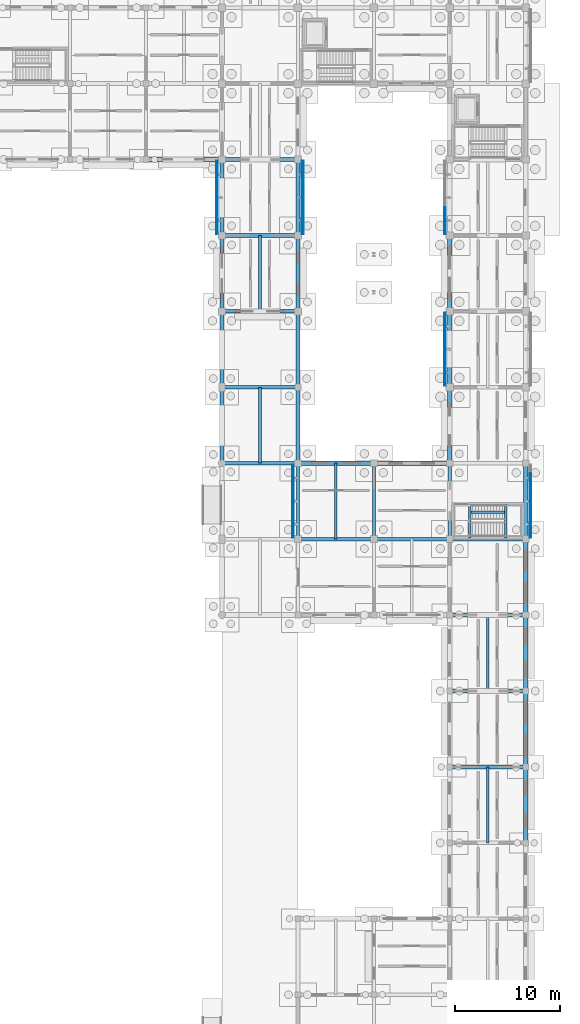
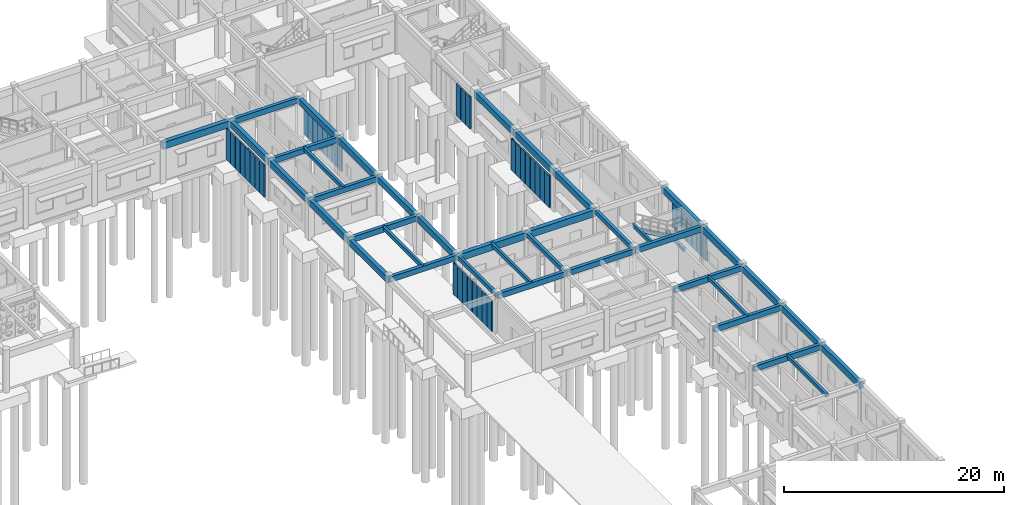
# One storey, part 37 of 111: 42 members, 41 beams, 6 elements without a shape of their own.
"""IFC4 building model written with IfcOpenShell, lengths in metres."""

from ifc_helpers import new_model, si_unit, direction, frame, origin, origin_2d, place, context, subcontext, project, spatial, rectangle, hollow_rectangle, extrude, material, material_profile, profile_set, type_object, element, aggregate, save


model = new_model("IFC4")

# Units and contexts
model_context = context("Model", 3, precision=1e-05, world=origin(), true_north=direction((0.0, 1.0)))
body_context = subcontext(model_context, "Body", "Model", "MODEL_VIEW")
ifc_project = project(units=[si_unit("LENGTHUNIT", "METRE"), si_unit("AREAUNIT", "SQUARE_METRE"), si_unit("VOLUMEUNIT", "CUBIC_METRE"), si_unit("PLANEANGLEUNIT", "RADIAN"), si_unit("MASSUNIT", "GRAM", prefix="KILO")], contexts=[model_context])

# Site, building, storey
site_placement = place(None, origin())
site = spatial("IfcSite", under=ifc_project, at=site_placement, CompositionType="ELEMENT")
building_placement = place(site_placement, origin())
building = spatial("IfcBuilding", under=site, at=building_placement, Name="Aldebral Square Health Centre", CompositionType="ELEMENT")
storey_placement = place(building_placement, origin())
storey = spatial("IfcBuildingStorey", under=building, at=storey_placement, Name="L00", CompositionType="ELEMENT", Elevation=0.0)

# Beams
ifc_material_1 = material(Name="Concrete C40/50", Category="concrete")
ifc_material_profile_1 = material_profile(ifc_material_1, rectangle(XDim=0.35009765625, YDim=0.60009765625, at=origin_2d()), Name="RC 350x600")
ifc_profile_set_1 = profile_set([ifc_material_profile_1], Name="Concrete C40/50")
beam_type_1 = type_object("IfcBeamType", Name="BM-B2", PredefinedType="BEAM", material=ifc_profile_set_1)
for number, where, z_axis, x_axis, name in (
    (1, (136.800048828125, 64.800048828125, 3.919921875), (1.0, 0.0, 0.0), (0.0, 1.0, 0.0), "L00 X-beam 20-21/G10"),
    (2, (136.800048828125, 72.0, 3.919921875), (1.0, 0.0, 0.0), (0.0, 1.0, 0.0), "L00 X-beam 20-21/G11"),
    (3, (136.800048828125, 79.199951171875, 3.919921875), (1.0, 0.0, 0.0), (0.0, 1.0, 0.0), "L00 X-beam 20-21/G12"),
    (4, (136.800048828125, 86.39990234375, 3.919921875), (1.0, 0.0, 0.0), (0.0, 1.0, 0.0), "L00 X-beam 20-21/G13"),
    (5, (136.800048828125, 93.60009765625, 3.919921875), (1.0, 0.0, 0.0), (0.0, 1.0, 0.0), "L00 X-beam 20-21/G14"),
    (6, (144.0, 57.60009765625, 3.919921875), (1.0, 0.0, 0.0), (0.0, 1.0, 0.0), "L00 X-beam 21-22/G9"),
    (7, (151.199951171875, 57.60009765625, 3.919921875), (1.0, 0.0, 0.0), (0.0, 1.0, 0.0), "L00 X-beam 22-23/G9"),
):
    element("IfcBeam", number, at=place(storey_placement, frame(where, z_axis=z_axis, x_axis=x_axis)), inside=storey, type_object=beam_type_1, Name=name, PredefinedType="BEAM", context=body_context, shape_type="SweptSolid", body=[
        extrude(rectangle(XDim=0.35009765625, YDim=0.60009765625, at=origin_2d()), origin(), (0.0, 0.0, 1.0), 7.199951171875),
    ])
for number, where, z_axis, x_axis, name in (
    (8, (158.39990234375, 36.0, 3.919921875), (1.0, 0.0, 0.0), (0.0, 1.0, 0.0), "L00 X-beam 23-24/G6"),
    (9, (158.39990234375, 43.199951171875, 3.919921875), (1.0, 0.0, 0.0), (0.0, 1.0, 0.0), "L00 X-beam 23-24/G7"),
    (10, (158.39990234375, 50.39990234375, 3.919921875), (1.0, 0.0, 0.0), (0.0, 1.0, 0.0), "L00 X-beam 23-24/G8"),
    (11, (158.39990234375, 57.60009765625, 3.919921875), (1.0, 0.0, 0.0), (0.0, 1.0, 0.0), "L00 X-beam 23-24/G9"),
):
    element("IfcBeam", number, at=place(storey_placement, frame(where, z_axis=z_axis, x_axis=x_axis)), inside=storey, type_object=beam_type_1, Name=name, PredefinedType="BEAM", context=body_context, shape_type="SweptSolid", body=[
        extrude(rectangle(XDim=0.35009765625, YDim=0.60009765625, at=origin_2d()), origin(), (0.0, 0.0, 1.0), 7.2001953125),
    ])
ifc_material_profile_2 = material_profile(ifc_material_1, rectangle(XDim=0.300048828125, YDim=0.449951171875, at=origin_2d()), Name="RC 300x450")
ifc_profile_set_2 = profile_set([ifc_material_profile_2], Name="Concrete C40/50")
beam_type_2 = type_object("IfcBeamType", Name="BM-B5", PredefinedType="BEAM", material=ifc_profile_set_2)
for number, where, z_axis, x_axis, name in (
    (12, (144.0, 57.60009765625, 3.9951171875), (0.0, 1.0, 0.0), (-1.0, 0.0, 0.0), "L00 Y-beam G21/9-10"),
    (13, (151.199951171875, 57.60009765625, 3.9951171875), (0.0, 1.0, 0.0), (-1.0, 0.0, 0.0), "L00 Y-beam G22/9-10"),
    (14, (158.39990234375, 57.60009765625, 3.9951171875), (0.0, 1.0, 0.0), (-1.0, 0.0, 0.0), "L00 Y-beam G23/9-10"),
):
    element("IfcBeam", number, at=place(storey_placement, frame(where, z_axis=z_axis, x_axis=x_axis)), inside=storey, type_object=beam_type_2, Name=name, PredefinedType="BEAM", context=body_context, shape_type="SweptSolid", body=[
        extrude(rectangle(XDim=0.300048828125, YDim=0.449951171875, at=origin_2d()), origin(), (0.0, 0.0, 1.0), 7.199951171875),
    ])
ifc_material_profile_3 = material_profile(ifc_material_1, rectangle(XDim=0.25, YDim=0.39990234375, at=origin_2d()), Name="RC 250x400")
ifc_profile_set_3 = profile_set([ifc_material_profile_3], Name="Concrete C40/50")
beam_type_3 = type_object("IfcBeamType", Name="BM-B6", PredefinedType="JOIST", material=ifc_profile_set_3)
for number, where, z_axis, x_axis, name in (
    (15, (140.39990234375, 64.800048828125, 4.02001953125), (0.0, 1.0, 0.0), (-1.0, 0.0, 0.0), "L00 secondary rib 20.10"),
    (16, (140.39990234375, 79.199951171875, 4.02001953125), (0.0, 1.0, 0.0), (-1.0, 0.0, 0.0), "L00 secondary rib 20.12"),
    (17, (147.60009765625, 57.60009765625, 4.02001953125), (0.0, 1.0, 0.0), (-1.0, 0.0, 0.0), "L00 secondary rib 21.9"),
    (18, (162.0, 28.800048828125, 4.02001953125), (0.0, 1.0, 0.0), (-1.0, 0.0, 0.0), "L00 secondary rib 23.5"),
    (19, (162.0, 43.199951171875, 4.02001953125), (0.0, 1.0, 0.0), (-1.0, 0.0, 0.0), "L00 secondary rib 23.7"),
):
    element("IfcBeam", number, at=place(storey_placement, frame(where, z_axis=z_axis, x_axis=x_axis)), inside=storey, type_object=beam_type_3, Name=name, PredefinedType="JOIST", context=body_context, shape_type="SweptSolid", body=[
        extrude(rectangle(XDim=0.25, YDim=0.39990234375, at=origin_2d()), origin(), (0.0, 0.0, 1.0), 7.199951171875),
    ])
for number, where, z_axis, x_axis, name in (
    (20, (163.719970703125, 57.72998046875, 2.050048828125), (0.0, 1.0, 0.0), (-1.0, 0.0, 0.0), "L00 WS-S9 half-landing beam"),
    (21, (160.280029296875, 57.72998046875, 4.02001953125), (0.0, 1.0, 0.0), (-1.0, 0.0, 0.0), "L00 WS-S9 upper landing beam"),
):
    element("IfcBeam", number, at=place(storey_placement, frame(where, z_axis=z_axis, x_axis=x_axis)), inside=storey, type_object=beam_type_3, Name=name, PredefinedType="JOIST", context=body_context, shape_type="SweptSolid", body=[
        extrude(rectangle(XDim=0.25, YDim=0.39990234375, at=origin_2d()), origin(), (0.0, 0.0, 1.0), 3.219970703125),
    ])
beam_1_placement = place(storey_placement, frame((163.719970703125, 60.139892578125, 2.050048828125), z_axis=(-0.867776584178, 0.0, 0.496954525034), x_axis=(0.0, -1.0, 0.0)))
element("IfcBeam", 22, at=beam_1_placement, inside=storey, type_object=beam_type_3, Name="L00 WS-S9 flight stringer beam", PredefinedType="JOIST", context=body_context, shape_type="SweptSolid", body=[
    extrude(rectangle(XDim=0.25, YDim=0.39990234375, at=origin_2d()), origin(), (0.0, 0.0, 1.0), 3.964111328125),
])
ifc_material_profile_4 = material_profile(ifc_material_1, rectangle(XDim=0.449951171875, YDim=0.75, at=origin_2d()), Name="RC 450x750")
ifc_profile_set_4 = profile_set([ifc_material_profile_4], Name="Concrete C40/50")
beam_type_4 = type_object("IfcBeamType", Name="BM-G2", PredefinedType="T_BEAM", material=ifc_profile_set_4)
for number, where, z_axis, x_axis, name in (
    (23, (129.60009765625, 93.60009765625, 3.844970703125), (1.0, 0.0, 0.0), (0.0, 1.0, 0.0), "L00 X-beam 19-20/G14"),
    (24, (144.0, 64.800048828125, 3.844970703125), (1.0, 0.0, 0.0), (0.0, 1.0, 0.0), "L00 X-beam 21-22/G10"),
    (25, (151.199951171875, 64.800048828125, 3.844970703125), (1.0, 0.0, 0.0), (0.0, 1.0, 0.0), "L00 X-beam 22-23/G10"),
):
    element("IfcBeam", number, at=place(storey_placement, frame(where, z_axis=z_axis, x_axis=x_axis)), inside=storey, type_object=beam_type_4, Name=name, PredefinedType="T_BEAM", context=body_context, shape_type="SweptSolid", body=[
        extrude(rectangle(XDim=0.449951171875, YDim=0.75, at=origin_2d()), origin(), (0.0, 0.0, 1.0), 7.199951171875),
    ])
ifc_material_profile_5 = material_profile(ifc_material_1, rectangle(XDim=0.39990234375, YDim=0.699951171875, at=origin_2d()), Name="RC 400x700")
ifc_profile_set_5 = profile_set([ifc_material_profile_5], Name="Concrete C40/50")
beam_type_5 = type_object("IfcBeamType", Name="BM-G3", PredefinedType="T_BEAM", material=ifc_profile_set_5)
for number, where, z_axis, x_axis, name in (
    (26, (136.800048828125, 64.800048828125, 3.8701171875), (0.0, 1.0, 0.0), (-1.0, 0.0, 0.0), "L00 Y-beam G20/10-11"),
    (27, (136.800048828125, 72.0, 3.8701171875), (0.0, 1.0, 0.0), (-1.0, 0.0, 0.0), "L00 Y-beam G20/11-12"),
    (28, (136.800048828125, 79.199951171875, 3.8701171875), (0.0, 1.0, 0.0), (-1.0, 0.0, 0.0), "L00 Y-beam G20/12-13"),
):
    element("IfcBeam", number, at=place(storey_placement, frame(where, z_axis=z_axis, x_axis=x_axis)), inside=storey, type_object=beam_type_5, Name=name, PredefinedType="T_BEAM", context=body_context, shape_type="SweptSolid", body=[
        extrude(rectangle(XDim=0.39990234375, YDim=0.699951171875, at=origin_2d()), origin(), (0.0, 0.0, 1.0), 7.199951171875),
    ])
beam_2_placement = place(storey_placement, frame((136.800048828125, 86.39990234375, 3.8701171875), z_axis=(0.0, 1.0, 0.0), x_axis=(-1.0, 0.0, 0.0)))
element("IfcBeam", 29, at=beam_2_placement, inside=storey, type_object=beam_type_5, Name="L00 Y-beam G20/13-14", PredefinedType="T_BEAM", context=body_context, shape_type="SweptSolid", body=[
    extrude(rectangle(XDim=0.39990234375, YDim=0.699951171875, at=origin_2d()), origin(), (0.0, 0.0, 1.0), 7.2001953125),
])
for number, where, z_axis, x_axis, name in (
    (30, (144.0, 64.800048828125, 3.8701171875), (0.0, 1.0, 0.0), (-1.0, 0.0, 0.0), "L00 Y-beam G21/10-11"),
    (31, (144.0, 72.0, 3.8701171875), (0.0, 1.0, 0.0), (-1.0, 0.0, 0.0), "L00 Y-beam G21/11-12"),
    (32, (144.0, 79.199951171875, 3.8701171875), (0.0, 1.0, 0.0), (-1.0, 0.0, 0.0), "L00 Y-beam G21/12-13"),
):
    element("IfcBeam", number, at=place(storey_placement, frame(where, z_axis=z_axis, x_axis=x_axis)), inside=storey, type_object=beam_type_5, Name=name, PredefinedType="T_BEAM", context=body_context, shape_type="SweptSolid", body=[
        extrude(rectangle(XDim=0.39990234375, YDim=0.699951171875, at=origin_2d()), origin(), (0.0, 0.0, 1.0), 7.199951171875),
    ])
beam_3_placement = place(storey_placement, frame((144.0, 86.39990234375, 3.8701171875), z_axis=(0.0, 1.0, 0.0), x_axis=(-1.0, 0.0, 0.0)))
element("IfcBeam", 33, at=beam_3_placement, inside=storey, type_object=beam_type_5, Name="L00 Y-beam G21/13-14", PredefinedType="T_BEAM", context=body_context, shape_type="SweptSolid", body=[
    extrude(rectangle(XDim=0.39990234375, YDim=0.699951171875, at=origin_2d()), origin(), (0.0, 0.0, 1.0), 7.2001953125),
])
for number, where, z_axis, x_axis, name in (
    (34, (158.39990234375, 64.800048828125, 3.8701171875), (0.0, 1.0, 0.0), (-1.0, 0.0, 0.0), "L00 Y-beam G23/10-11"),
    (35, (158.39990234375, 72.0, 3.8701171875), (0.0, 1.0, 0.0), (-1.0, 0.0, 0.0), "L00 Y-beam G23/11-12"),
    (36, (158.39990234375, 79.199951171875, 3.8701171875), (0.0, 1.0, 0.0), (-1.0, 0.0, 0.0), "L00 Y-beam G23/12-13"),
    (37, (165.60009765625, 28.800048828125, 3.8701171875), (0.0, 1.0, 0.0), (-1.0, 0.0, 0.0), "L00 Y-beam G24/5-6"),
    (38, (165.60009765625, 36.0, 3.8701171875), (0.0, 1.0, 0.0), (-1.0, 0.0, 0.0), "L00 Y-beam G24/6-7"),
    (39, (165.60009765625, 43.199951171875, 3.8701171875), (0.0, 1.0, 0.0), (-1.0, 0.0, 0.0), "L00 Y-beam G24/7-8"),
):
    element("IfcBeam", number, at=place(storey_placement, frame(where, z_axis=z_axis, x_axis=x_axis)), inside=storey, type_object=beam_type_5, Name=name, PredefinedType="T_BEAM", context=body_context, shape_type="SweptSolid", body=[
        extrude(rectangle(XDim=0.39990234375, YDim=0.699951171875, at=origin_2d()), origin(), (0.0, 0.0, 1.0), 7.199951171875),
    ])
beam_4_placement = place(storey_placement, frame((165.60009765625, 50.39990234375, 3.8701171875), z_axis=(0.0, 1.0, 0.0), x_axis=(-1.0, 0.0, 0.0)))
element("IfcBeam", 40, at=beam_4_placement, inside=storey, type_object=beam_type_5, Name="L00 Y-beam G24/8-9", PredefinedType="T_BEAM", context=body_context, shape_type="SweptSolid", body=[
    extrude(rectangle(XDim=0.39990234375, YDim=0.699951171875, at=origin_2d()), origin(), (0.0, 0.0, 1.0), 7.2001953125),
])
beam_5_placement = place(storey_placement, frame((165.60009765625, 57.60009765625, 3.8701171875), z_axis=(0.0, 1.0, 0.0), x_axis=(-1.0, 0.0, 0.0)))
element("IfcBeam", 41, at=beam_5_placement, inside=storey, type_object=beam_type_5, Name="L00 Y-beam G24/9-10", PredefinedType="T_BEAM", context=body_context, shape_type="SweptSolid", body=[
    extrude(rectangle(XDim=0.39990234375, YDim=0.699951171875, at=origin_2d()), origin(), (0.0, 0.0, 1.0), 7.199951171875),
])

# Curtain wall, members
ifc_material_2 = material(Name="Aluminium and low-E solar glass", Category="aluminium")
curtain_wall_type = type_object("IfcCurtainWallType", Name="CW-FIN-SYS", PredefinedType="USERDEFINED", material=ifc_material_2)
curtain_wall_1_placement = place(storey_placement, origin())
curtain_wall_1 = element("IfcCurtainWall", 42, at=curtain_wall_1_placement, inside=storey, type_object=curtain_wall_type, Name="L00 V5 finned curtain wall L00-V5-19-12-W", ObjectType="SOLAR_CURTAIN_WALL", PredefinedType="USERDEFINED")
ifc_material_3 = material(Name="Sienna-terracotta clad aluminium fin", Category="masonry")
ifc_material_profile_6 = material_profile(ifc_material_3, hollow_rectangle(XDim=0.159912109375, YDim=0.85009765625, WallThickness=0.006103515625, at=origin_2d()), Name="FIN 160x850x6")
ifc_profile_set_6 = profile_set([ifc_material_profile_6], Name="Sienna-terracotta clad aluminium fin")
member_type = type_object("IfcMemberType", Name="CWM-FIN", PredefinedType="MULLION", material=ifc_profile_set_6)
member_1_placement = place(storey_placement, frame((136.340087890625, 93.0400390625, 0.0), z_axis=(0.0, 0.0, 1.0), x_axis=(1.0, 0.0, 0.0)))
member_1 = element("IfcMember", 43, at=member_1_placement, type_object=member_type, Name="CW1 mullion 1", PredefinedType="MULLION", context=body_context, shape_type="SweptSolid", body=[
    extrude(hollow_rectangle(XDim=0.159912109375, YDim=0.85009765625, WallThickness=0.006103515625, at=origin_2d()), origin(), (0.0, 0.0, 1.0), 3.52001953125),
])
member_2_placement = place(storey_placement, frame((136.340087890625, 92.228515625, 0.0), z_axis=(0.0, 0.0, 1.0), x_axis=(1.0, 0.0, 0.0)))
member_2 = element("IfcMember", 44, at=member_2_placement, type_object=member_type, Name="CW1 mullion 2", PredefinedType="MULLION", context=body_context, shape_type="SweptSolid", body=[
    extrude(hollow_rectangle(XDim=0.159912109375, YDim=0.85009765625, WallThickness=0.006103515625, at=origin_2d()), origin(), (0.0, 0.0, 1.0), 3.52001953125),
])
member_3_placement = place(storey_placement, frame((136.340087890625, 91.337158203125, 0.0), z_axis=(0.0, 0.0, 1.0), x_axis=(1.0, 0.0, 0.0)))
member_3 = element("IfcMember", 45, at=member_3_placement, type_object=member_type, Name="CW1 mullion 3", PredefinedType="MULLION", context=body_context, shape_type="SweptSolid", body=[
    extrude(hollow_rectangle(XDim=0.159912109375, YDim=0.85009765625, WallThickness=0.006103515625, at=origin_2d()), origin(), (0.0, 0.0, 1.0), 3.52001953125),
])
member_4_placement = place(storey_placement, frame((136.340087890625, 90.44580078125, 0.0), z_axis=(0.0, 0.0, 1.0), x_axis=(1.0, 0.0, 0.0)))
member_4 = element("IfcMember", 46, at=member_4_placement, type_object=member_type, Name="CW1 mullion 4", PredefinedType="MULLION", context=body_context, shape_type="SweptSolid", body=[
    extrude(hollow_rectangle(XDim=0.159912109375, YDim=0.85009765625, WallThickness=0.006103515625, at=origin_2d()), origin(), (0.0, 0.0, 1.0), 3.52001953125),
])
member_5_placement = place(storey_placement, frame((136.340087890625, 89.55419921875, 0.0), z_axis=(0.0, 0.0, 1.0), x_axis=(1.0, 0.0, 0.0)))
member_5 = element("IfcMember", 47, at=member_5_placement, type_object=member_type, Name="CW1 mullion 5", PredefinedType="MULLION", context=body_context, shape_type="SweptSolid", body=[
    extrude(hollow_rectangle(XDim=0.159912109375, YDim=0.85009765625, WallThickness=0.006103515625, at=origin_2d()), origin(), (0.0, 0.0, 1.0), 3.52001953125),
])
member_6_placement = place(storey_placement, frame((136.340087890625, 88.662841796875, 0.0), z_axis=(0.0, 0.0, 1.0), x_axis=(1.0, 0.0, 0.0)))
member_6 = element("IfcMember", 48, at=member_6_placement, type_object=member_type, Name="CW1 mullion 6", PredefinedType="MULLION", context=body_context, shape_type="SweptSolid", body=[
    extrude(hollow_rectangle(XDim=0.159912109375, YDim=0.85009765625, WallThickness=0.006103515625, at=origin_2d()), origin(), (0.0, 0.0, 1.0), 3.52001953125),
])
member_7_placement = place(storey_placement, frame((136.340087890625, 87.771484375, 0.0), z_axis=(0.0, 0.0, 1.0), x_axis=(1.0, 0.0, 0.0)))
member_7 = element("IfcMember", 49, at=member_7_placement, type_object=member_type, Name="CW1 mullion 7", PredefinedType="MULLION", context=body_context, shape_type="SweptSolid", body=[
    extrude(hollow_rectangle(XDim=0.159912109375, YDim=0.85009765625, WallThickness=0.006103515625, at=origin_2d()), origin(), (0.0, 0.0, 1.0), 3.52001953125),
])
member_8_placement = place(storey_placement, frame((136.340087890625, 86.9599609375, 0.0), z_axis=(0.0, 0.0, 1.0), x_axis=(1.0, 0.0, 0.0)))
member_8 = element("IfcMember", 50, at=member_8_placement, type_object=member_type, Name="CW1 mullion 8", PredefinedType="MULLION", context=body_context, shape_type="SweptSolid", body=[
    extrude(hollow_rectangle(XDim=0.159912109375, YDim=0.85009765625, WallThickness=0.006103515625, at=origin_2d()), origin(), (0.0, 0.0, 1.0), 3.52001953125),
])
aggregate(curtain_wall_1, [member_1, member_2, member_3, member_4, member_5, member_6, member_7, member_8])

curtain_wall_2_placement = place(storey_placement, origin())
curtain_wall_2 = element("IfcCurtainWall", 51, at=curtain_wall_2_placement, inside=storey, type_object=curtain_wall_type, Name="L00 V5 finned curtain wall L00-V5-19-12-E", ObjectType="SOLAR_CURTAIN_WALL", PredefinedType="USERDEFINED")
member_9_placement = place(storey_placement, frame((144.4599609375, 86.9599609375, 0.0), z_axis=(0.0, 0.0, 1.0), x_axis=(-1.0, 0.0, 0.0)))
member_9 = element("IfcMember", 52, at=member_9_placement, type_object=member_type, Name="CW1 mullion 1", PredefinedType="MULLION", context=body_context, shape_type="SweptSolid", body=[
    extrude(hollow_rectangle(XDim=0.159912109375, YDim=0.85009765625, WallThickness=0.006103515625, at=origin_2d()), origin(), (0.0, 0.0, 1.0), 3.52001953125),
])
member_10_placement = place(storey_placement, frame((144.4599609375, 87.771484375, 0.0), z_axis=(0.0, 0.0, 1.0), x_axis=(-1.0, 0.0, 0.0)))
member_10 = element("IfcMember", 53, at=member_10_placement, type_object=member_type, Name="CW1 mullion 2", PredefinedType="MULLION", context=body_context, shape_type="SweptSolid", body=[
    extrude(hollow_rectangle(XDim=0.159912109375, YDim=0.85009765625, WallThickness=0.006103515625, at=origin_2d()), origin(), (0.0, 0.0, 1.0), 3.52001953125),
])
member_11_placement = place(storey_placement, frame((144.4599609375, 88.662841796875, 0.0), z_axis=(0.0, 0.0, 1.0), x_axis=(-1.0, 0.0, 0.0)))
member_11 = element("IfcMember", 54, at=member_11_placement, type_object=member_type, Name="CW1 mullion 3", PredefinedType="MULLION", context=body_context, shape_type="SweptSolid", body=[
    extrude(hollow_rectangle(XDim=0.159912109375, YDim=0.85009765625, WallThickness=0.006103515625, at=origin_2d()), origin(), (0.0, 0.0, 1.0), 3.52001953125),
])
member_12_placement = place(storey_placement, frame((144.4599609375, 89.55419921875, 0.0), z_axis=(0.0, 0.0, 1.0), x_axis=(-1.0, 0.0, 0.0)))
member_12 = element("IfcMember", 55, at=member_12_placement, type_object=member_type, Name="CW1 mullion 4", PredefinedType="MULLION", context=body_context, shape_type="SweptSolid", body=[
    extrude(hollow_rectangle(XDim=0.159912109375, YDim=0.85009765625, WallThickness=0.006103515625, at=origin_2d()), origin(), (0.0, 0.0, 1.0), 3.52001953125),
])
member_13_placement = place(storey_placement, frame((144.4599609375, 90.44580078125, 0.0), z_axis=(0.0, 0.0, 1.0), x_axis=(-1.0, 0.0, 0.0)))
member_13 = element("IfcMember", 56, at=member_13_placement, type_object=member_type, Name="CW1 mullion 5", PredefinedType="MULLION", context=body_context, shape_type="SweptSolid", body=[
    extrude(hollow_rectangle(XDim=0.159912109375, YDim=0.85009765625, WallThickness=0.006103515625, at=origin_2d()), origin(), (0.0, 0.0, 1.0), 3.52001953125),
])
member_14_placement = place(storey_placement, frame((144.4599609375, 91.337158203125, 0.0), z_axis=(0.0, 0.0, 1.0), x_axis=(-1.0, 0.0, 0.0)))
member_14 = element("IfcMember", 57, at=member_14_placement, type_object=member_type, Name="CW1 mullion 6", PredefinedType="MULLION", context=body_context, shape_type="SweptSolid", body=[
    extrude(hollow_rectangle(XDim=0.159912109375, YDim=0.85009765625, WallThickness=0.006103515625, at=origin_2d()), origin(), (0.0, 0.0, 1.0), 3.52001953125),
])
member_15_placement = place(storey_placement, frame((144.4599609375, 92.228515625, 0.0), z_axis=(0.0, 0.0, 1.0), x_axis=(-1.0, 0.0, 0.0)))
member_15 = element("IfcMember", 58, at=member_15_placement, type_object=member_type, Name="CW1 mullion 7", PredefinedType="MULLION", context=body_context, shape_type="SweptSolid", body=[
    extrude(hollow_rectangle(XDim=0.159912109375, YDim=0.85009765625, WallThickness=0.006103515625, at=origin_2d()), origin(), (0.0, 0.0, 1.0), 3.52001953125),
])
member_16_placement = place(storey_placement, frame((144.4599609375, 93.0400390625, 0.0), z_axis=(0.0, 0.0, 1.0), x_axis=(-1.0, 0.0, 0.0)))
member_16 = element("IfcMember", 59, at=member_16_placement, type_object=member_type, Name="CW1 mullion 8", PredefinedType="MULLION", context=body_context, shape_type="SweptSolid", body=[
    extrude(hollow_rectangle(XDim=0.159912109375, YDim=0.85009765625, WallThickness=0.006103515625, at=origin_2d()), origin(), (0.0, 0.0, 1.0), 3.52001953125),
])
aggregate(curtain_wall_2, [member_9, member_10, member_11, member_12, member_13, member_14, member_15, member_16])

curtain_wall_3_placement = place(storey_placement, origin())
curtain_wall_3 = element("IfcCurtainWall", 60, at=curtain_wall_3_placement, inside=storey, type_object=curtain_wall_type, Name="L00 V5 finned curtain wall L00-V5-20-08-W", ObjectType="SOLAR_CURTAIN_WALL", PredefinedType="USERDEFINED")
member_17_placement = place(storey_placement, frame((143.5400390625, 64.239990234375, 0.0), z_axis=(0.0, 0.0, 1.0), x_axis=(1.0, 0.0, 0.0)))
member_17 = element("IfcMember", 61, at=member_17_placement, type_object=member_type, Name="CW1 mullion 1", PredefinedType="MULLION", context=body_context, shape_type="SweptSolid", body=[
    extrude(hollow_rectangle(XDim=0.159912109375, YDim=0.85009765625, WallThickness=0.006103515625, at=origin_2d()), origin(), (0.0, 0.0, 1.0), 3.52001953125),
])
member_18_placement = place(storey_placement, frame((143.5400390625, 63.428466796875, 0.0), z_axis=(0.0, 0.0, 1.0), x_axis=(1.0, 0.0, 0.0)))
member_18 = element("IfcMember", 62, at=member_18_placement, type_object=member_type, Name="CW1 mullion 2", PredefinedType="MULLION", context=body_context, shape_type="SweptSolid", body=[
    extrude(hollow_rectangle(XDim=0.159912109375, YDim=0.85009765625, WallThickness=0.006103515625, at=origin_2d()), origin(), (0.0, 0.0, 1.0), 3.52001953125),
])
member_19_placement = place(storey_placement, frame((143.5400390625, 62.537109375, 0.0), z_axis=(0.0, 0.0, 1.0), x_axis=(1.0, 0.0, 0.0)))
member_19 = element("IfcMember", 63, at=member_19_placement, type_object=member_type, Name="CW1 mullion 3", PredefinedType="MULLION", context=body_context, shape_type="SweptSolid", body=[
    extrude(hollow_rectangle(XDim=0.159912109375, YDim=0.85009765625, WallThickness=0.006103515625, at=origin_2d()), origin(), (0.0, 0.0, 1.0), 3.52001953125),
])
member_20_placement = place(storey_placement, frame((143.5400390625, 61.645751953125, 0.0), z_axis=(0.0, 0.0, 1.0), x_axis=(1.0, 0.0, 0.0)))
member_20 = element("IfcMember", 64, at=member_20_placement, type_object=member_type, Name="CW1 mullion 4", PredefinedType="MULLION", context=body_context, shape_type="SweptSolid", body=[
    extrude(hollow_rectangle(XDim=0.159912109375, YDim=0.85009765625, WallThickness=0.006103515625, at=origin_2d()), origin(), (0.0, 0.0, 1.0), 3.52001953125),
])
member_21_placement = place(storey_placement, frame((143.5400390625, 60.75439453125, 0.0), z_axis=(0.0, 0.0, 1.0), x_axis=(1.0, 0.0, 0.0)))
member_21 = element("IfcMember", 65, at=member_21_placement, type_object=member_type, Name="CW1 mullion 5", PredefinedType="MULLION", context=body_context, shape_type="SweptSolid", body=[
    extrude(hollow_rectangle(XDim=0.159912109375, YDim=0.85009765625, WallThickness=0.006103515625, at=origin_2d()), origin(), (0.0, 0.0, 1.0), 3.52001953125),
])
member_22_placement = place(storey_placement, frame((143.5400390625, 59.86279296875, 0.0), z_axis=(0.0, 0.0, 1.0), x_axis=(1.0, 0.0, 0.0)))
member_22 = element("IfcMember", 66, at=member_22_placement, type_object=member_type, Name="CW1 mullion 6", PredefinedType="MULLION", context=body_context, shape_type="SweptSolid", body=[
    extrude(hollow_rectangle(XDim=0.159912109375, YDim=0.85009765625, WallThickness=0.006103515625, at=origin_2d()), origin(), (0.0, 0.0, 1.0), 3.52001953125),
])
member_23_placement = place(storey_placement, frame((143.5400390625, 58.971435546875, 0.0), z_axis=(0.0, 0.0, 1.0), x_axis=(1.0, 0.0, 0.0)))
member_23 = element("IfcMember", 67, at=member_23_placement, type_object=member_type, Name="CW1 mullion 7", PredefinedType="MULLION", context=body_context, shape_type="SweptSolid", body=[
    extrude(hollow_rectangle(XDim=0.159912109375, YDim=0.85009765625, WallThickness=0.006103515625, at=origin_2d()), origin(), (0.0, 0.0, 1.0), 3.52001953125),
])
member_24_placement = place(storey_placement, frame((143.5400390625, 58.159912109375, 0.0), z_axis=(0.0, 0.0, 1.0), x_axis=(1.0, 0.0, 0.0)))
member_24 = element("IfcMember", 68, at=member_24_placement, type_object=member_type, Name="CW1 mullion 8", PredefinedType="MULLION", context=body_context, shape_type="SweptSolid", body=[
    extrude(hollow_rectangle(XDim=0.159912109375, YDim=0.85009765625, WallThickness=0.006103515625, at=origin_2d()), origin(), (0.0, 0.0, 1.0), 3.52001953125),
])
aggregate(curtain_wall_3, [member_17, member_18, member_19, member_20, member_21, member_22, member_23, member_24])

curtain_wall_4_placement = place(storey_placement, origin())
curtain_wall_4 = element("IfcCurtainWall", 69, at=curtain_wall_4_placement, inside=storey, type_object=curtain_wall_type, Name="L00 V5 finned curtain wall L00-V5-22-08-E", ObjectType="SOLAR_CURTAIN_WALL", PredefinedType="USERDEFINED")
member_25_placement = place(storey_placement, frame((166.06005859375, 58.159912109375, 0.0), z_axis=(0.0, 0.0, 1.0), x_axis=(-1.0, 0.0, 0.0)))
member_25 = element("IfcMember", 70, at=member_25_placement, type_object=member_type, Name="CW1 mullion 1", PredefinedType="MULLION", context=body_context, shape_type="SweptSolid", body=[
    extrude(hollow_rectangle(XDim=0.159912109375, YDim=0.85009765625, WallThickness=0.006103515625, at=origin_2d()), origin(), (0.0, 0.0, 1.0), 3.52001953125),
])
member_26_placement = place(storey_placement, frame((166.06005859375, 58.971435546875, 0.0), z_axis=(0.0, 0.0, 1.0), x_axis=(-1.0, 0.0, 0.0)))
member_26 = element("IfcMember", 71, at=member_26_placement, type_object=member_type, Name="CW1 mullion 2", PredefinedType="MULLION", context=body_context, shape_type="SweptSolid", body=[
    extrude(hollow_rectangle(XDim=0.159912109375, YDim=0.85009765625, WallThickness=0.006103515625, at=origin_2d()), origin(), (0.0, 0.0, 1.0), 3.52001953125),
])
member_27_placement = place(storey_placement, frame((166.06005859375, 59.86279296875, 0.0), z_axis=(0.0, 0.0, 1.0), x_axis=(-1.0, 0.0, 0.0)))
member_27 = element("IfcMember", 72, at=member_27_placement, type_object=member_type, Name="CW1 mullion 3", PredefinedType="MULLION", context=body_context, shape_type="SweptSolid", body=[
    extrude(hollow_rectangle(XDim=0.159912109375, YDim=0.85009765625, WallThickness=0.006103515625, at=origin_2d()), origin(), (0.0, 0.0, 1.0), 3.52001953125),
])
member_28_placement = place(storey_placement, frame((166.06005859375, 60.75439453125, 0.0), z_axis=(0.0, 0.0, 1.0), x_axis=(-1.0, 0.0, 0.0)))
member_28 = element("IfcMember", 73, at=member_28_placement, type_object=member_type, Name="CW1 mullion 4", PredefinedType="MULLION", context=body_context, shape_type="SweptSolid", body=[
    extrude(hollow_rectangle(XDim=0.159912109375, YDim=0.85009765625, WallThickness=0.006103515625, at=origin_2d()), origin(), (0.0, 0.0, 1.0), 3.52001953125),
])
member_29_placement = place(storey_placement, frame((166.06005859375, 61.645751953125, 0.0), z_axis=(0.0, 0.0, 1.0), x_axis=(-1.0, 0.0, 0.0)))
member_29 = element("IfcMember", 74, at=member_29_placement, type_object=member_type, Name="CW1 mullion 5", PredefinedType="MULLION", context=body_context, shape_type="SweptSolid", body=[
    extrude(hollow_rectangle(XDim=0.159912109375, YDim=0.85009765625, WallThickness=0.006103515625, at=origin_2d()), origin(), (0.0, 0.0, 1.0), 3.52001953125),
])
member_30_placement = place(storey_placement, frame((166.06005859375, 62.537109375, 0.0), z_axis=(0.0, 0.0, 1.0), x_axis=(-1.0, 0.0, 0.0)))
member_30 = element("IfcMember", 75, at=member_30_placement, type_object=member_type, Name="CW1 mullion 6", PredefinedType="MULLION", context=body_context, shape_type="SweptSolid", body=[
    extrude(hollow_rectangle(XDim=0.159912109375, YDim=0.85009765625, WallThickness=0.006103515625, at=origin_2d()), origin(), (0.0, 0.0, 1.0), 3.52001953125),
])
member_31_placement = place(storey_placement, frame((166.06005859375, 63.428466796875, 0.0), z_axis=(0.0, 0.0, 1.0), x_axis=(-1.0, 0.0, 0.0)))
member_31 = element("IfcMember", 76, at=member_31_placement, type_object=member_type, Name="CW1 mullion 7", PredefinedType="MULLION", context=body_context, shape_type="SweptSolid", body=[
    extrude(hollow_rectangle(XDim=0.159912109375, YDim=0.85009765625, WallThickness=0.006103515625, at=origin_2d()), origin(), (0.0, 0.0, 1.0), 3.52001953125),
])
aggregate(curtain_wall_4, [member_25, member_26, member_27, member_28, member_29, member_30, member_31])

curtain_wall_5_placement = place(storey_placement, origin())
curtain_wall_5 = element("IfcCurtainWall", 77, at=curtain_wall_5_placement, inside=storey, type_object=curtain_wall_type, Name="L00 V5 finned curtain wall L00-V5-22-10-W", ObjectType="SOLAR_CURTAIN_WALL", PredefinedType="USERDEFINED")
member_32_placement = place(storey_placement, frame((157.93994140625, 78.639892578125, 0.0), z_axis=(0.0, 0.0, 1.0), x_axis=(1.0, 0.0, 0.0)))
member_32 = element("IfcMember", 78, at=member_32_placement, type_object=member_type, Name="CW1 mullion 1", PredefinedType="MULLION", context=body_context, shape_type="SweptSolid", body=[
    extrude(hollow_rectangle(XDim=0.159912109375, YDim=0.85009765625, WallThickness=0.006103515625, at=origin_2d()), origin(), (0.0, 0.0, 1.0), 3.52001953125),
])
member_33_placement = place(storey_placement, frame((157.93994140625, 77.82861328125, 0.0), z_axis=(0.0, 0.0, 1.0), x_axis=(1.0, 0.0, 0.0)))
member_33 = element("IfcMember", 79, at=member_33_placement, type_object=member_type, Name="CW1 mullion 2", PredefinedType="MULLION", context=body_context, shape_type="SweptSolid", body=[
    extrude(hollow_rectangle(XDim=0.159912109375, YDim=0.85009765625, WallThickness=0.006103515625, at=origin_2d()), origin(), (0.0, 0.0, 1.0), 3.52001953125),
])
member_34_placement = place(storey_placement, frame((157.93994140625, 76.937255859375, 0.0), z_axis=(0.0, 0.0, 1.0), x_axis=(1.0, 0.0, 0.0)))
member_34 = element("IfcMember", 80, at=member_34_placement, type_object=member_type, Name="CW1 mullion 3", PredefinedType="MULLION", context=body_context, shape_type="SweptSolid", body=[
    extrude(hollow_rectangle(XDim=0.159912109375, YDim=0.85009765625, WallThickness=0.006103515625, at=origin_2d()), origin(), (0.0, 0.0, 1.0), 3.52001953125),
])
member_35_placement = place(storey_placement, frame((157.93994140625, 76.045654296875, 0.0), z_axis=(0.0, 0.0, 1.0), x_axis=(1.0, 0.0, 0.0)))
member_35 = element("IfcMember", 81, at=member_35_placement, type_object=member_type, Name="CW1 mullion 4", PredefinedType="MULLION", context=body_context, shape_type="SweptSolid", body=[
    extrude(hollow_rectangle(XDim=0.159912109375, YDim=0.85009765625, WallThickness=0.006103515625, at=origin_2d()), origin(), (0.0, 0.0, 1.0), 3.52001953125),
])
member_36_placement = place(storey_placement, frame((157.93994140625, 75.154296875, 0.0), z_axis=(0.0, 0.0, 1.0), x_axis=(1.0, 0.0, 0.0)))
member_36 = element("IfcMember", 82, at=member_36_placement, type_object=member_type, Name="CW1 mullion 5", PredefinedType="MULLION", context=body_context, shape_type="SweptSolid", body=[
    extrude(hollow_rectangle(XDim=0.159912109375, YDim=0.85009765625, WallThickness=0.006103515625, at=origin_2d()), origin(), (0.0, 0.0, 1.0), 3.52001953125),
])
member_37_placement = place(storey_placement, frame((157.93994140625, 74.262939453125, 0.0), z_axis=(0.0, 0.0, 1.0), x_axis=(1.0, 0.0, 0.0)))
member_37 = element("IfcMember", 83, at=member_37_placement, type_object=member_type, Name="CW1 mullion 6", PredefinedType="MULLION", context=body_context, shape_type="SweptSolid", body=[
    extrude(hollow_rectangle(XDim=0.159912109375, YDim=0.85009765625, WallThickness=0.006103515625, at=origin_2d()), origin(), (0.0, 0.0, 1.0), 3.52001953125),
])
member_38_placement = place(storey_placement, frame((157.93994140625, 73.371337890625, 0.0), z_axis=(0.0, 0.0, 1.0), x_axis=(1.0, 0.0, 0.0)))
member_38 = element("IfcMember", 84, at=member_38_placement, type_object=member_type, Name="CW1 mullion 7", PredefinedType="MULLION", context=body_context, shape_type="SweptSolid", body=[
    extrude(hollow_rectangle(XDim=0.159912109375, YDim=0.85009765625, WallThickness=0.006103515625, at=origin_2d()), origin(), (0.0, 0.0, 1.0), 3.52001953125),
])
member_39_placement = place(storey_placement, frame((157.93994140625, 72.56005859375, 0.0), z_axis=(0.0, 0.0, 1.0), x_axis=(1.0, 0.0, 0.0)))
member_39 = element("IfcMember", 85, at=member_39_placement, type_object=member_type, Name="CW1 mullion 8", PredefinedType="MULLION", context=body_context, shape_type="SweptSolid", body=[
    extrude(hollow_rectangle(XDim=0.159912109375, YDim=0.85009765625, WallThickness=0.006103515625, at=origin_2d()), origin(), (0.0, 0.0, 1.0), 3.52001953125),
])
aggregate(curtain_wall_5, [member_32, member_33, member_34, member_35, member_36, member_37, member_38, member_39])

curtain_wall_6_placement = place(storey_placement, origin())
curtain_wall_6 = element("IfcCurtainWall", 86, at=curtain_wall_6_placement, inside=storey, type_object=curtain_wall_type, Name="L00 V5 finned curtain wall L00-V5-22-12-W", ObjectType="SOLAR_CURTAIN_WALL", PredefinedType="USERDEFINED")
member_40_placement = place(storey_placement, frame((157.93994140625, 88.662841796875, 0.0), z_axis=(0.0, 0.0, 1.0), x_axis=(1.0, 0.0, 0.0)))
member_40 = element("IfcMember", 87, at=member_40_placement, type_object=member_type, Name="CW1 mullion 6", PredefinedType="MULLION", context=body_context, shape_type="SweptSolid", body=[
    extrude(hollow_rectangle(XDim=0.159912109375, YDim=0.85009765625, WallThickness=0.006103515625, at=origin_2d()), origin(), (0.0, 0.0, 1.0), 3.52001953125),
])
member_41_placement = place(storey_placement, frame((157.93994140625, 87.771484375, 0.0), z_axis=(0.0, 0.0, 1.0), x_axis=(1.0, 0.0, 0.0)))
member_41 = element("IfcMember", 88, at=member_41_placement, type_object=member_type, Name="CW1 mullion 7", PredefinedType="MULLION", context=body_context, shape_type="SweptSolid", body=[
    extrude(hollow_rectangle(XDim=0.159912109375, YDim=0.85009765625, WallThickness=0.006103515625, at=origin_2d()), origin(), (0.0, 0.0, 1.0), 3.52001953125),
])
member_42_placement = place(storey_placement, frame((157.93994140625, 86.9599609375, 0.0), z_axis=(0.0, 0.0, 1.0), x_axis=(1.0, 0.0, 0.0)))
member_42 = element("IfcMember", 89, at=member_42_placement, type_object=member_type, Name="CW1 mullion 8", PredefinedType="MULLION", context=body_context, shape_type="SweptSolid", body=[
    extrude(hollow_rectangle(XDim=0.159912109375, YDim=0.85009765625, WallThickness=0.006103515625, at=origin_2d()), origin(), (0.0, 0.0, 1.0), 3.52001953125),
])
aggregate(curtain_wall_6, [member_40, member_41, member_42])

save(model, "model.ifc")
